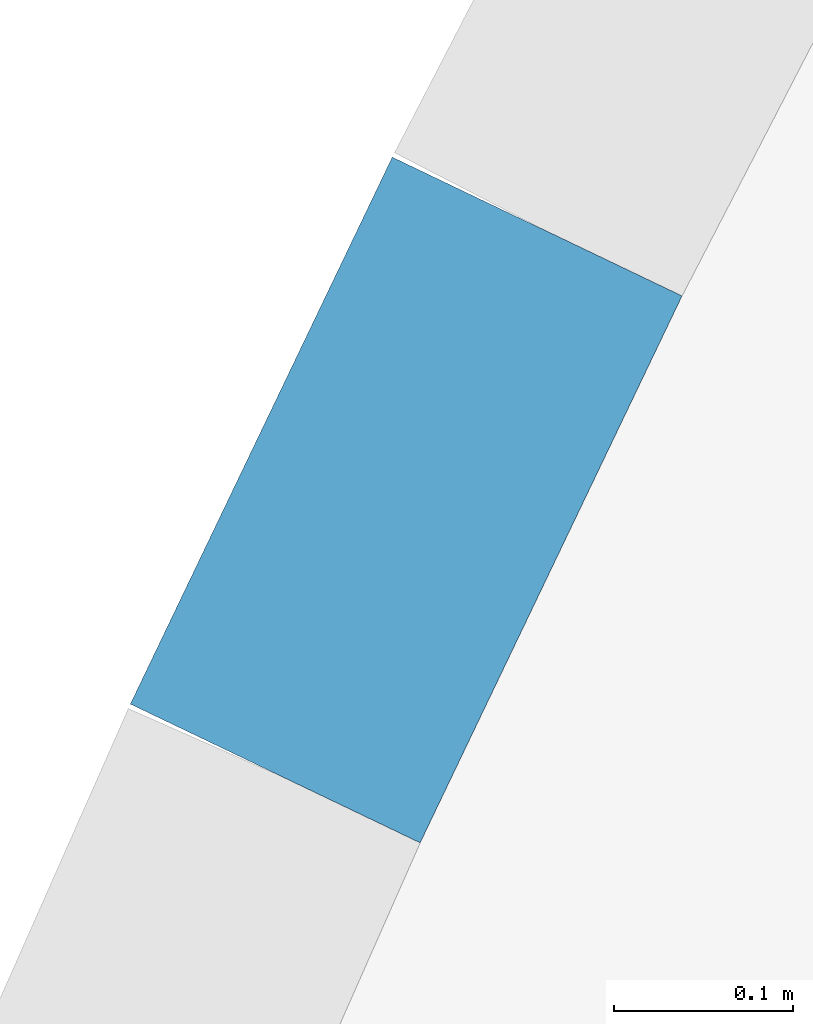
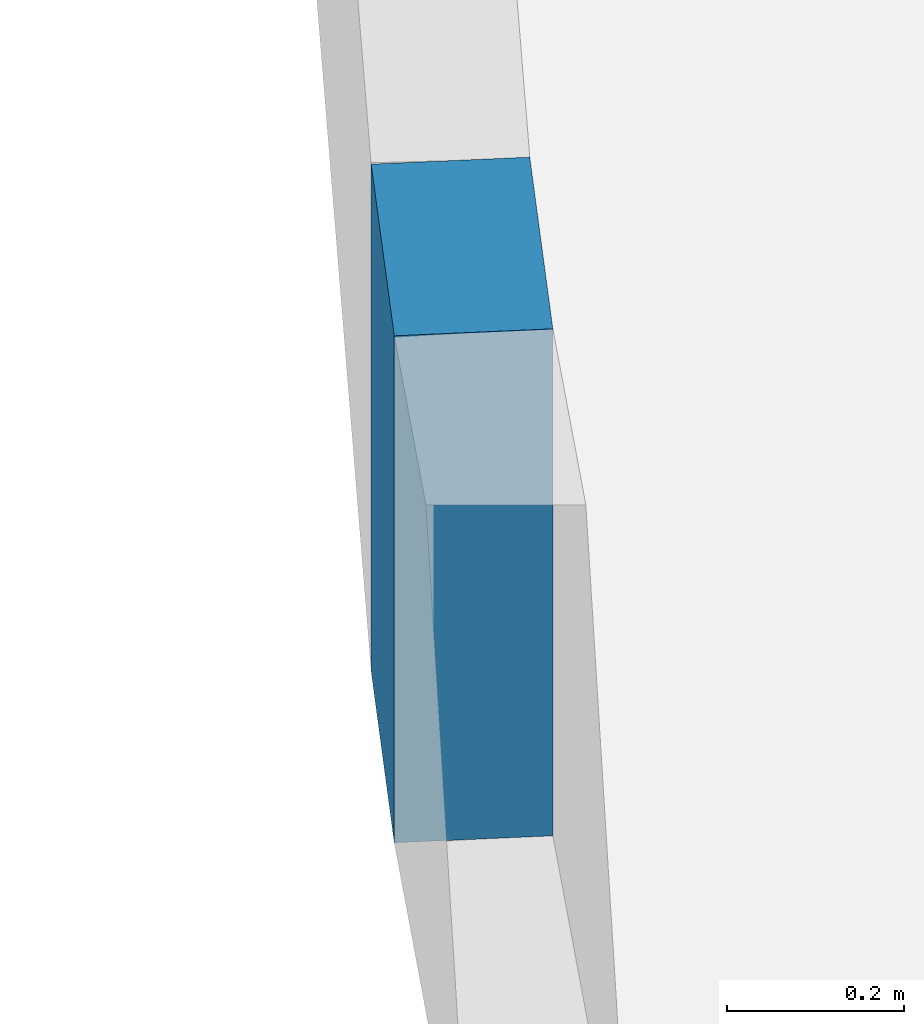
# One storey, part 79 of 93: 1 wall.
"""IFC4 building model written with IfcOpenShell, lengths in metres."""

from ifc_helpers import new_model, si_unit, direction, frame, frame_2d, origin, place, context, subcontext, project, spatial, rectangle, extrude, material, layer, layer_set, type_object, element, save


model = new_model("IFC4")

# Units and contexts
model_context = context("Model", 3, precision=1e-05, world=origin(), true_north=direction((0.0, 1.0)))
body_context = subcontext(model_context, "Body", "Model", "MODEL_VIEW")
ifc_project = project(units=[si_unit("LENGTHUNIT", "METRE"), si_unit("AREAUNIT", "SQUARE_METRE"), si_unit("VOLUMEUNIT", "CUBIC_METRE"), si_unit("PLANEANGLEUNIT", "RADIAN"), si_unit("MASSUNIT", "GRAM", prefix="KILO")], contexts=[model_context])

# Site, building, storey
site_placement = place(None, origin())
site = spatial("IfcSite", under=ifc_project, at=site_placement, CompositionType="ELEMENT")
building_placement = place(site_placement, origin())
building = spatial("IfcBuilding", under=site, at=building_placement, Name="Tide Square Theatres", CompositionType="ELEMENT")
storey_placement = place(building_placement, frame((0.0, 0.0, 5.39990234375)))
storey = spatial("IfcBuildingStorey", under=building, at=storey_placement, Name="L01", CompositionType="ELEMENT", Elevation=5.39990234375)

# Wall
ifc_material = material(Name="Concrete C40", Category="concrete")
ifc_layer = layer(ifc_material, 0.179931640625)
ifc_layer_set = layer_set([ifc_layer], Name="Concrete C40")
wall_type = type_object("IfcWallType", Name="RC parapet 180 thick", PredefinedType="PARAPET", material=ifc_layer_set)
wall_placement = place(storey_placement, frame((19.863037109375, 67.4326171875, 0.0), z_axis=(0.0, 0.0, 1.0), x_axis=(0.431913171328, 0.901915191375, 0.0)))
element("IfcWall", 1, at=wall_placement, inside=storey, type_object=wall_type, Name="Arcade roof parapet", PredefinedType="PARAPET", context=body_context, shape_type="SweptSolid", body=[
    extrude(rectangle(XDim=0.339599609375, YDim=0.179931640625, at=frame_2d((0.169921875, 0.0))), origin(), (0.0, 0.0, 1.0), 0.7001953125),
])

save(model, "model.ifc")
